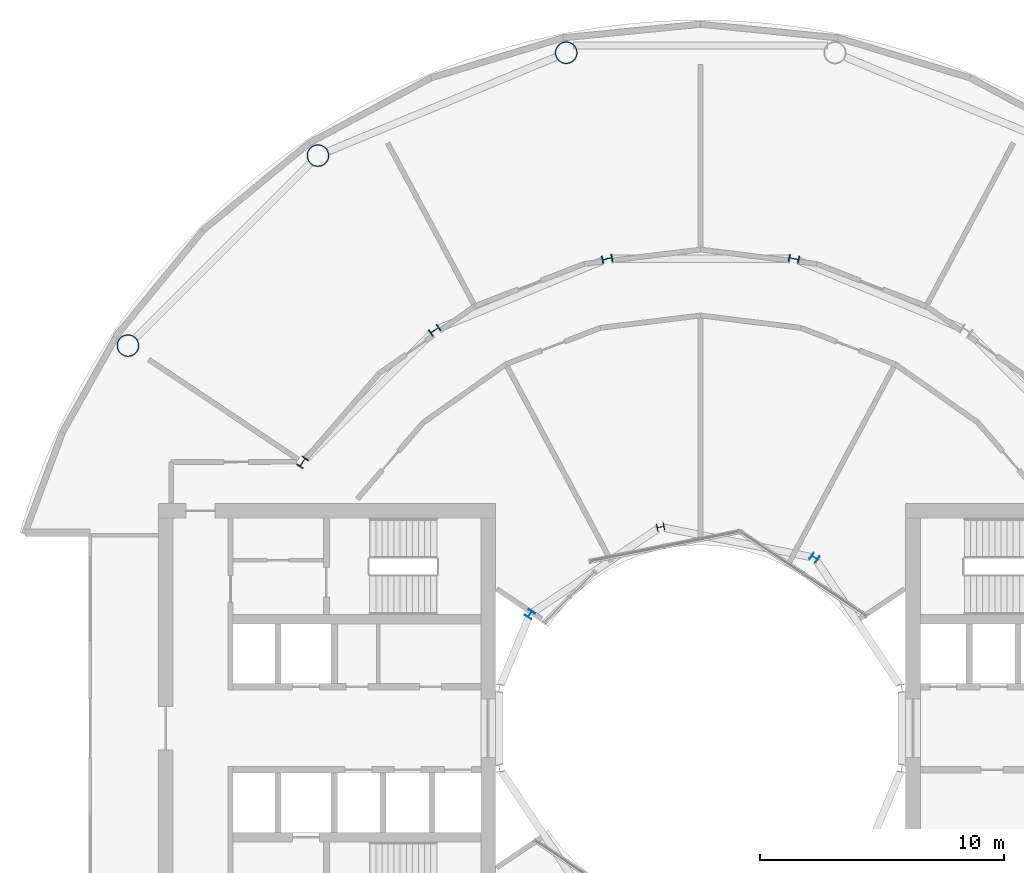
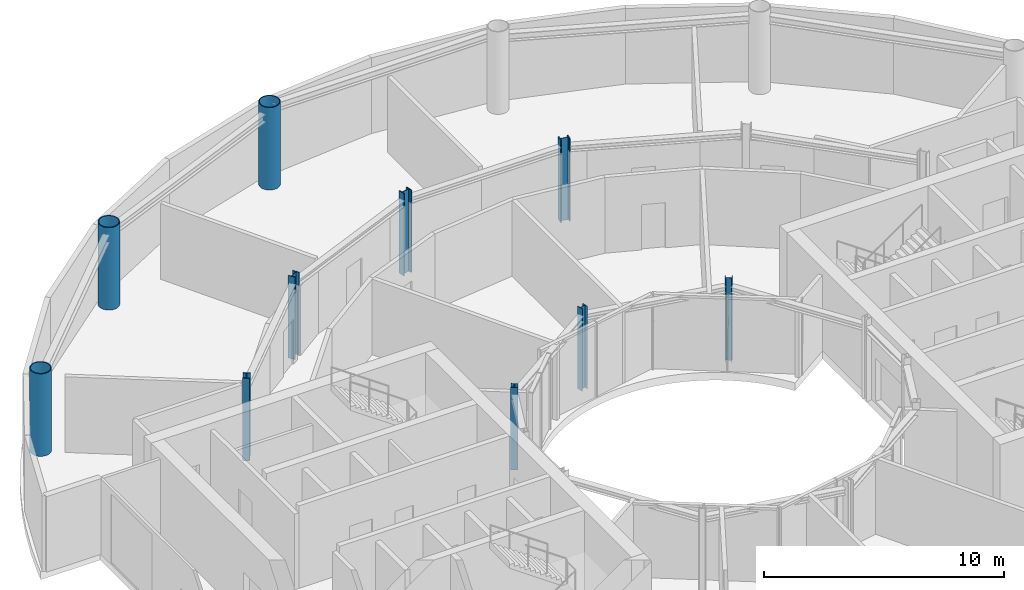
# One storey, part 3 of 18: 10 columns.
"""IFC4 building model written with IfcOpenShell, lengths in metres."""

import ifcopenshell
import ifcopenshell.guid

model = None  # the IFC model being written
_history = None  # IfcOwnerHistory: only IFC2X3 demands one
_inside = {}  # id of a spatial element -> (the spatial element, [elements in it])
_under = {}  # id of a project, library or spatial element -> (it, [spatial elements below it])
_declared = {}  # id of a project -> (the project, [libraries it declares])
_typed = {}  # id of a type object -> (the type object, [elements of that type])
_made_of = {}  # id of a material, layer set ... -> (it, [elements and type objects made of it])


def new_model(schema):
    """Start an empty IFC model of exactly this schema.

    Asked for "IFC4X3", IfcOpenShell would pick the latest addendum, in which some entities
    have other attributes; the version numbers below select the first issue.
    IFC2X3 requires an IfcOwnerHistory on every rooted entity: one is made here for all.
    """
    global model, _history
    if schema == "IFC4X3":
        model = ifcopenshell.file(schema_version=(4, 3, 0, 0))
    else:
        model = ifcopenshell.file(schema=schema)
    _inside.clear()
    _under.clear()
    _declared.clear()
    _typed.clear()
    _made_of.clear()
    _history = None
    if model.schema == "IFC2X3":
        org = make("IfcOrganization", Name="unknown")
        user = make(
            "IfcPersonAndOrganization",
            ThePerson=make("IfcPerson", FamilyName="unknown"),
            TheOrganization=org,
        )
        app = make(
            "IfcApplication",
            ApplicationDeveloper=org,
            Version="unknown",
            ApplicationFullName="unknown",
            ApplicationIdentifier="unknown",
        )
        _history = make(
            "IfcOwnerHistory",
            OwningUser=user,
            OwningApplication=app,
            ChangeAction="ADDED",
            CreationDate=0,
        )
    return model


def make(cls, **values):
    """One entity of the class cls with the attributes given. An attribute that is None is left unset."""
    return model.create_entity(
        cls, **{name: value for name, value in values.items() if value is not None}
    )


def rooted(cls, **values):
    """An entity with a GlobalId (a new one), such as an element, a storey or a relation."""
    return make(cls, GlobalId=ifcopenshell.guid.new(), OwnerHistory=_history, **values)


def si_unit(unit_type, name, prefix=None):
    """IfcSIUnit, for example si_unit("LENGTHUNIT", "METRE", prefix="MILLI")."""
    return make("IfcSIUnit", UnitType=unit_type, Prefix=prefix, Name=name)


def assignment(units):
    """IfcUnitAssignment: the units of a project."""
    return None if units is None else make("IfcUnitAssignment", Units=units)


def point(xyz):
    """IfcCartesianPoint."""
    return None if xyz is None else make("IfcCartesianPoint", Coordinates=xyz)


def direction(xyz):
    """IfcDirection."""
    return None if xyz is None else make("IfcDirection", DirectionRatios=xyz)


def frame(location, z_axis=None, x_axis=None):
    """IfcAxis2Placement3D, a coordinate frame: its origin and axes. An axis left out is left unset."""
    return make(
        "IfcAxis2Placement3D",
        Location=point(location),
        Axis=direction(z_axis),
        RefDirection=direction(x_axis),
    )


def frame_2d(location, x_axis=None):
    """IfcAxis2Placement2D, a coordinate frame in the plane: its origin and x axis."""
    return make(
        "IfcAxis2Placement2D", Location=point(location), RefDirection=direction(x_axis)
    )


def origin():
    """The frame at (0, 0, 0) with its axes left unset."""
    return frame((0.0, 0.0, 0.0))


def origin_2d():
    """The frame at (0, 0) in the plane with its x axis left unset."""
    return frame_2d((0.0, 0.0))


def place(relative_to, where):
    """IfcLocalPlacement: puts the frame where relative to a parent placement (None: the world)."""
    return make(
        "IfcLocalPlacement", PlacementRelTo=relative_to, RelativePlacement=where
    )


def context(
    kind, dimensions, precision=None, world=None, true_north=None, identifier=None
):
    """IfcGeometricRepresentationContext, for example the 3D "Model" context."""
    return make(
        "IfcGeometricRepresentationContext",
        ContextIdentifier=identifier,
        ContextType=kind,
        CoordinateSpaceDimension=dimensions,
        Precision=precision,
        WorldCoordinateSystem=world,
        TrueNorth=true_north,
    )


def subcontext(parent, identifier, kind, view, scale=None):
    """IfcGeometricRepresentationSubContext, for example "Body" below "Model"."""
    return make(
        "IfcGeometricRepresentationSubContext",
        ContextIdentifier=identifier,
        ContextType=kind,
        ParentContext=parent,
        TargetScale=scale,
        TargetView=view,
    )


def project(units=None, contexts=None):
    """IfcProject with its units and contexts."""
    return rooted(
        "IfcProject",
        Name="project",
        RepresentationContexts=contexts,
        UnitsInContext=assignment(units),
    )


def spatial(cls, under=None, at=None, **own):
    """A site, building, storey or space (cls), placed at a placement, below another one or the project."""
    s = rooted(cls, ObjectPlacement=at, **own)
    if under is not None:
        _under.setdefault(under.id(), (under, []))[1].append(s)
    return s


def profile(cls, at=None, kind="AREA", **sizes):
    """A parametric profile (cls). Its sizes go by their IFC names, for example OverallWidth=200.0."""
    return make(cls, ProfileType=kind, Position=at, **sizes)


def hollow_circle(**sizes):
    """IfcCircleHollowProfileDef."""
    return profile("IfcCircleHollowProfileDef", **sizes)


def i_section(**sizes):
    """IfcIShapeProfileDef."""
    return profile("IfcIShapeProfileDef", **sizes)


def extrude(swept, where, along, depth):
    """IfcExtrudedAreaSolid: the profile swept, set in the frame where, extruded along a direction by depth."""
    return make(
        "IfcExtrudedAreaSolid",
        SweptArea=swept,
        Position=where,
        ExtrudedDirection=direction(along),
        Depth=depth,
    )


def shape(context_of_items, identifier, shape_type, items):
    """IfcShapeRepresentation: the items that make up one representation, for example the "Body"."""
    return make(
        "IfcShapeRepresentation",
        ContextOfItems=context_of_items,
        RepresentationIdentifier=identifier,
        RepresentationType=shape_type,
        Items=items,
    )


def material(Name=None, Category=None):
    """IfcMaterial."""
    return make("IfcMaterial", Name=Name, Category=Category)


def material_profile(
    of_material, cross_section, Name=None, Category=None, Priority=None
):
    """IfcMaterialProfile: a cross section and its material."""
    return make(
        "IfcMaterialProfile",
        Name=Name,
        Material=of_material,
        Profile=cross_section,
        Priority=Priority,
        Category=Category,
    )


def profile_set(profiles, Name=None, composite=None):
    """IfcMaterialProfileSet."""
    return make(
        "IfcMaterialProfileSet",
        Name=Name,
        MaterialProfiles=profiles,
        CompositeProfile=composite,
    )


def made_of(thing, what):
    """Note that an element or type object is made of a material, layer set ...; save() writes the relation."""
    if what is not None:
        _made_of.setdefault(what.id(), (what, []))[1].append(thing)
    return thing


def type_object(cls, material=None, **own):
    """A type object (cls), such as IfcWallType, which elements share."""
    return made_of(rooted(cls, **own), material)


def element(
    cls,
    number,
    at=None,
    inside=None,
    cuts=None,
    type_object=None,
    material=None,
    context=None,
    identifier="Body",
    shape_type=None,
    held_by="IfcProductDefinitionShape",
    body=None,
    shapes=None,
    **own,
):
    """One element of the class cls, such as IfcWall. Its Tag is "e" and its number.

    at: its placement. inside: the storey or other place that contains it. cuts: it is an
    opening in that element (IfcRelVoidsElement). A single representation is given by context,
    identifier, shape_type and body (its items); several are given by shapes. held_by: the class
    of the entity that holds the representations. save() writes the other relations.
    """
    e = rooted(cls, Tag="e%d" % number, ObjectPlacement=at, **own)
    if body is not None:
        shapes = [shape(context, identifier, shape_type, body)]
    if shapes is not None:
        e.Representation = make(held_by, Representations=shapes)
    if inside is not None:
        _inside.setdefault(inside.id(), (inside, []))[1].append(e)
    if cuts is not None:
        rooted(
            "IfcRelVoidsElement", RelatingBuildingElement=cuts, RelatedOpeningElement=e
        )
    if type_object is not None:
        _typed.setdefault(type_object.id(), (type_object, []))[1].append(e)
    return made_of(e, material)


def aggregate(whole, parts):
    """IfcRelAggregates: a whole, such as a stair, and the parts it consists of."""
    return rooted("IfcRelAggregates", RelatingObject=whole, RelatedObjects=parts)


def save(model, path):
    """Write the relations noted so far, then the file.

    IfcRelAggregates (storeys below a building ...), IfcRelContainedInSpatialStructure (elements
    in a storey), IfcRelDefinesByType, IfcRelAssociatesMaterial and IfcRelDeclares: one each for
    every whole, place, type object, material and project.
    """
    for whole, parts in _under.values():
        aggregate(whole, parts)
    for where, things in _inside.values():
        rooted(
            "IfcRelContainedInSpatialStructure",
            RelatedElements=things,
            RelatingStructure=where,
        )
    for kind, things in _typed.values():
        rooted("IfcRelDefinesByType", RelatedObjects=things, RelatingType=kind)
    for what, things in _made_of.values():
        rooted("IfcRelAssociatesMaterial", RelatedObjects=things, RelatingMaterial=what)
    for by, libraries in _declared.values():
        rooted("IfcRelDeclares", RelatingContext=by, RelatedDefinitions=libraries)
    model.write(path)


model = new_model("IFC4")

# Units and contexts
model_context = context("Model", 3, precision=1e-05, world=origin(), true_north=direction((0.0, 1.0)))
body_context = subcontext(model_context, "Body", "Model", "MODEL_VIEW")
ifc_project = project(units=[si_unit("LENGTHUNIT", "METRE"), si_unit("AREAUNIT", "SQUARE_METRE"), si_unit("VOLUMEUNIT", "CUBIC_METRE"), si_unit("PLANEANGLEUNIT", "RADIAN"), si_unit("MASSUNIT", "GRAM", prefix="KILO")], contexts=[model_context])

# Site, building, storey
site_placement = place(None, origin())
site = spatial("IfcSite", under=ifc_project, at=site_placement, CompositionType="ELEMENT")
building_placement = place(site_placement, origin())
building = spatial("IfcBuilding", under=site, at=building_placement, Name="Maasbend Ring Residences", CompositionType="ELEMENT")
storey_placement = place(building_placement, frame((0.0, 0.0, 103.25)))
storey = spatial("IfcBuildingStorey", under=building, at=storey_placement, Name="L29", CompositionType="ELEMENT", Elevation=103.25)

# Columns
ifc_material_1 = material(Name="Composite concrete-filled steel tube S460NH / C80/95", Category="concrete")
ifc_material_profile_1 = material_profile(ifc_material_1, hollow_circle(Radius=0.45703125, WallThickness=0.0400390625, at=origin_2d()), Name="Composite tube column CHS 914x40")
ifc_profile_set_1 = profile_set([ifc_material_profile_1], Name="Composite concrete-filled steel tube S460NH / C80/95")
column_type_1 = type_object("IfcColumnType", Name="Composite tube column CHS 914x40", PredefinedType="COLUMN", material=ifc_profile_set_1)
for number, where, z_axis, x_axis, name in (
    (1, (-5.50146484375, 27.658203125, 0.0), (0.0, 0.0, 1.0), (1.0, 0.0, 0.0), "Outer column R5"),
    (2, (-15.6669921875, 23.447509765625, 0.0), (0.0, 0.0, 1.0), (1.0, 0.0, 0.0), "Outer column R6"),
    (3, (-23.447509765625, 15.6669921875, 0.0), (0.0, 0.0, 1.0), (1.0, 0.0, 0.0), "Outer column R7"),
):
    element("IfcColumn", number, at=place(storey_placement, frame(where, z_axis=z_axis, x_axis=x_axis)), inside=storey, type_object=column_type_1, Name=name, PredefinedType="COLUMN", context=body_context, shape_type="SweptSolid", body=[
        extrude(hollow_circle(Radius=0.45703125, WallThickness=0.0400390625, at=origin_2d()), origin(), (0.0, 0.0, 1.0), 4.199951171875),
    ])
ifc_material_2 = material(Name="Steel S355J2", Category="steel")
ifc_material_profile_2 = material_profile(ifc_material_2, i_section(OverallWidth=0.300048828125, OverallDepth=0.300048828125, WebThickness=0.010986328125, FlangeThickness=0.01904296875, FilletRadius=0.027099609375, at=origin_2d()), Name="HEB 300")
ifc_profile_set_2 = profile_set([ifc_material_profile_2], Name="Steel S355J2")
column_type_2 = type_object("IfcColumnType", Name="Steel column HEB 300", PredefinedType="COLUMN", material=ifc_profile_set_2)
for number, where, z_axis, x_axis, name in (
    (4, (4.666748046875, 6.984375, 0.0), (0.0, 0.0, 1.0), (0.55557023302, 0.831469612303, 0.0), "Well ring column R3"),
    (5, (-1.638916015625, 8.238525390625, 0.0), (0.0, 0.0, 1.0), (-0.195090322016, 0.980785280403, 0.0), "Well ring column R5"),
    (6, (-6.984375, 4.666748046875, 0.0), (0.0, 0.0, 1.0), (-0.831469612303, 0.55557023302, 0.0), "Well ring column R7"),
):
    element("IfcColumn", number, at=place(storey_placement, frame(where, z_axis=z_axis, x_axis=x_axis)), inside=storey, type_object=column_type_2, Name=name, PredefinedType="COLUMN", context=body_context, shape_type="SweptSolid", body=[
        extrude(i_section(OverallWidth=0.300048828125, OverallDepth=0.300048828125, WebThickness=0.010986328125, FlangeThickness=0.01904296875, FilletRadius=0.027099609375, at=origin_2d()), origin(), (0.0, 0.0, 1.0), 4.199951171875),
    ])
ifc_material_3 = material(Name="Steel S460M", Category="steel")
ifc_material_profile_3 = material_profile(ifc_material_3, i_section(OverallWidth=0.306884765625, OverallDepth=0.431884765625, WebThickness=0.02099609375, FlangeThickness=0.0400390625, FilletRadius=0.027099609375, at=origin_2d()), Name="HEM 400")
ifc_profile_set_3 = profile_set([ifc_material_profile_3], Name="Steel S460M")
column_type_3 = type_object("IfcColumnType", Name="Steel column HEM 400", PredefinedType="COLUMN", material=ifc_profile_set_3)
for number, where, z_axis, x_axis, name in (
    (7, (3.82373046875, 19.223388671875, 0.0), (0.0, 0.0, 1.0), (0.195090322016, 0.980785280403, 0.0), "Corridor ring column R4"),
    (8, (-3.82373046875, 19.223388671875, 0.0), (0.0, 0.0, 1.0), (-0.195090322016, 0.980785280403, 0.0), "Corridor ring column R5"),
    (9, (-10.88916015625, 16.296875, 0.0), (0.0, 0.0, 1.0), (-0.55557023302, 0.831469612303, 0.0), "Corridor ring column R6"),
    (10, (-16.296875, 10.88916015625, 0.0), (0.0, 0.0, 1.0), (-0.831469612303, 0.55557023302, 0.0), "Corridor ring column R7"),
):
    element("IfcColumn", number, at=place(storey_placement, frame(where, z_axis=z_axis, x_axis=x_axis)), inside=storey, type_object=column_type_3, Name=name, PredefinedType="COLUMN", context=body_context, shape_type="SweptSolid", body=[
        extrude(i_section(OverallWidth=0.306884765625, OverallDepth=0.431884765625, WebThickness=0.02099609375, FlangeThickness=0.0400390625, FilletRadius=0.027099609375, at=origin_2d()), origin(), (0.0, 0.0, 1.0), 4.199951171875),
    ])

save(model, "model.ifc")
